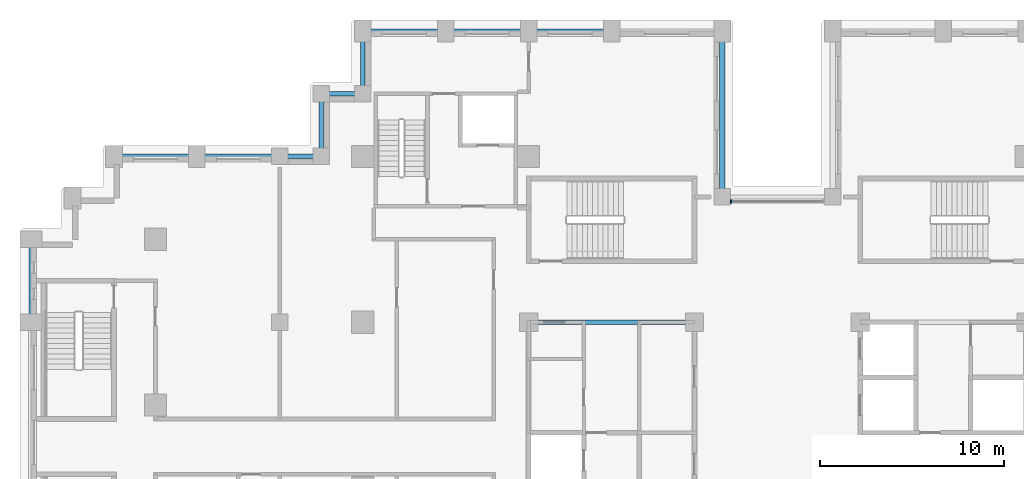
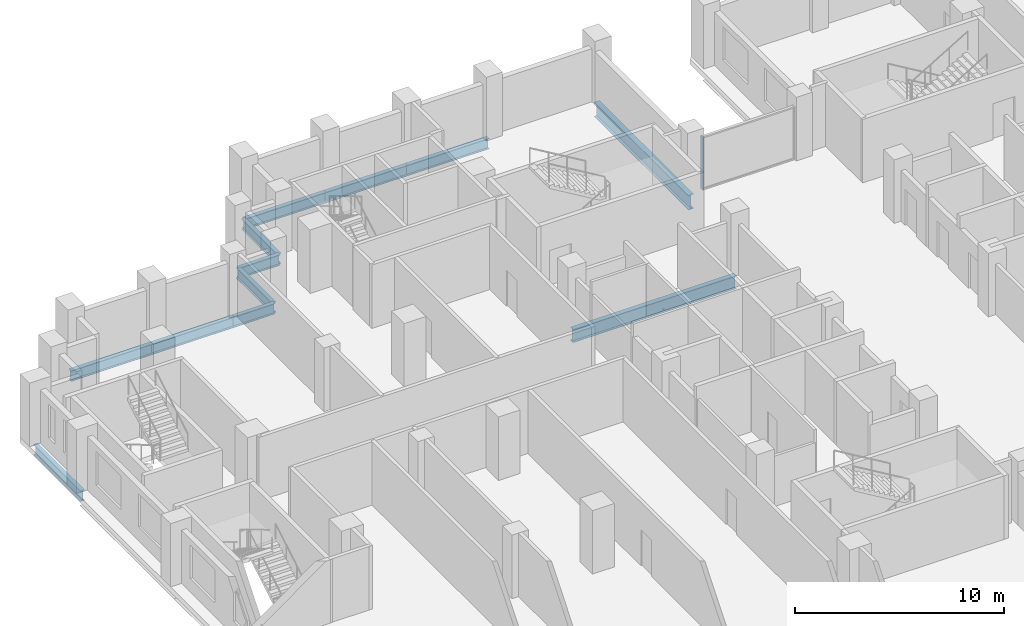
# One storey, part 3 of 16: 12 beams, 1 member, 1 element without a shape of its own.
"""IFC4 building model written with IfcOpenShell, lengths in metres."""

from ifc_helpers import new_model, si_unit, direction, frame, origin, origin_2d, place, context, subcontext, project, spatial, rectangle, i_section, extrude, material, layer, layer_set, material_profile, profile_set, type_object, element, aggregate, save


model = new_model("IFC4")

# Units and contexts
model_context = context("Model", 3, precision=1e-05, world=origin(), true_north=direction((0.0, 1.0)))
body_context = subcontext(model_context, "Body", "Model", "MODEL_VIEW")
ifc_project = project(units=[si_unit("LENGTHUNIT", "METRE"), si_unit("AREAUNIT", "SQUARE_METRE"), si_unit("VOLUMEUNIT", "CUBIC_METRE"), si_unit("PLANEANGLEUNIT", "RADIAN"), si_unit("MASSUNIT", "GRAM", prefix="KILO")], contexts=[model_context])

# Site, building, storey
site_placement = place(None, origin())
site = spatial("IfcSite", under=ifc_project, at=site_placement, CompositionType="ELEMENT")
building_placement = place(site_placement, origin())
building = spatial("IfcBuilding", under=site, at=building_placement, Name="Corbelhall Arena Tower", CompositionType="ELEMENT")
storey_placement = place(building_placement, frame((0.0, 0.0, 104.0)))
storey = spatial("IfcBuildingStorey", under=building, at=storey_placement, Name="L18", CompositionType="ELEMENT", Elevation=104.0)

# Curtain wall, member
ifc_material_1 = material(Name="Aluminium black anodised", Category="aluminium")
ifc_layer = layer(ifc_material_1, 0.199951171875)
ifc_layer_set = layer_set([ifc_layer], Name="EV-CW1 Slot back wall")
curtain_wall_type = type_object("IfcCurtainWallType", Name="EV-CW1 Slot back wall", PredefinedType="NOTDEFINED", material=ifc_layer_set)
curtain_wall_placement = place(storey_placement, origin())
curtain_wall = element("IfcCurtainWall", 1, at=curtain_wall_placement, inside=storey, type_object=curtain_wall_type, Name="Curtain wall CW1", PredefinedType="NOTDEFINED")
ifc_material_profile_1 = material_profile(ifc_material_1, rectangle(XDim=0.199951171875, YDim=0.074951171875, at=origin_2d()))
ifc_profile_set_1 = profile_set([ifc_material_profile_1], Name="Aluminium black anodised")
member_type = type_object("IfcMemberType", Name="EV-CW1-MULLION", PredefinedType="MULLION", material=ifc_profile_set_1)
member_placement = place(storey_placement, frame((-2.512451171875, 15.550048828125, 0.0), z_axis=(0.0, 0.0, 1.0), x_axis=(0.0, -1.0, 0.0)))
member = element("IfcMember", 2, at=member_placement, type_object=member_type, Name="CW1 mullion 2", PredefinedType="MULLION", context=body_context, shape_type="SweptSolid", body=[
    extrude(rectangle(XDim=0.199951171875, YDim=0.074951171875, at=origin_2d()), origin(), (0.0, 0.0, 1.0), 3.10009765625),
])
aggregate(curtain_wall, [member])

# Beams
ifc_material_2 = material(Name="Steel ASTM A992 Gr50", Category="steel")
ifc_material_profile_2 = material_profile(ifc_material_2, i_section(OverallWidth=0.2666015625, OverallDepth=0.761962890625, WebThickness=0.014404296875, FlangeThickness=0.021484375, at=origin_2d()))
ifc_profile_set_2 = profile_set([ifc_material_profile_2], Name="Steel ASTM A992 Gr50")
beam_type_1 = type_object("IfcBeamType", Name="ST-BEAM-W30x116", PredefinedType="BEAM", material=ifc_profile_set_2)
beam_1_placement = place(storey_placement, frame((-13.5, 9.0, -0.680908203125), z_axis=(1.0, 0.0, 0.0), x_axis=(0.0, 1.0, 0.0)))
element("IfcBeam", 3, at=beam_1_placement, inside=storey, type_object=beam_type_1, Name="Beam CEW 6", PredefinedType="BEAM", context=body_context, shape_type="SweptSolid", body=[
    extrude(i_section(OverallWidth=0.2666015625, OverallDepth=0.761962890625, WebThickness=0.014404296875, FlangeThickness=0.021484375, at=origin_2d()), origin(), (0.0, 0.0, 1.0), 9.0),
])
ifc_material_profile_3 = material_profile(ifc_material_2, i_section(OverallWidth=0.23046875, OverallDepth=0.6171875, WebThickness=0.01318359375, FlangeThickness=0.022216796875, at=origin_2d()))
ifc_profile_set_3 = profile_set([ifc_material_profile_3], Name="Steel ASTM A992 Gr50")
beam_type_2 = type_object("IfcBeamType", Name="ST-SPANDREL-W24x94", PredefinedType="SPANDREL", material=ifc_profile_set_3)
for number, where, z_axis, x_axis, name in (
    (4, (-40.5, 9.0, -0.608642578125), (0.0, 1.0, 0.0), (-1.0, 0.0, 0.0), "Beam SP 2"),
    (5, (-31.5, 18.0, -0.608642578125), (1.0, 0.0, 0.0), (0.0, 1.0, 0.0), "Beam SP 5"),
    (6, (-36.0, 18.0, -0.608642578125), (1.0, 0.0, 0.0), (0.0, 1.0, 0.0), "Beam SP 6"),
    (7, (-13.5, 24.800048828125, -0.608642578125), (1.0, 0.0, 0.0), (0.0, 1.0, 0.0), "Beam SP 24"),
    (8, (-18.0, 24.800048828125, -0.608642578125), (1.0, 0.0, 0.0), (0.0, 1.0, 0.0), "Beam SP 25"),
    (9, (-22.5, 24.800048828125, -0.608642578125), (1.0, 0.0, 0.0), (0.0, 1.0, 0.0), "Beam SP 26"),
):
    element("IfcBeam", number, at=place(storey_placement, frame(where, z_axis=z_axis, x_axis=x_axis)), inside=storey, type_object=beam_type_2, Name=name, PredefinedType="SPANDREL", context=body_context, shape_type="SweptSolid", body=[
        extrude(i_section(OverallWidth=0.23046875, OverallDepth=0.6171875, WebThickness=0.01318359375, FlangeThickness=0.022216796875, at=origin_2d()), origin(), (0.0, 0.0, 1.0), 4.5),
    ])
beam_2_placement = place(storey_placement, frame((-27.0, 18.0, -0.608642578125), z_axis=(1.0, 0.0, 0.0), x_axis=(0.0, 1.0, 0.0)))
element("IfcBeam", 10, at=beam_2_placement, inside=storey, type_object=beam_type_2, Name="Beam SP 37", PredefinedType="SPANDREL", context=body_context, shape_type="SweptSolid", body=[
    extrude(i_section(OverallWidth=0.23046875, OverallDepth=0.6171875, WebThickness=0.01318359375, FlangeThickness=0.022216796875, at=origin_2d()), origin(), (0.0, 0.0, 1.0), 2.25),
])
beam_3_placement = place(storey_placement, frame((-22.5, 21.39990234375, -0.608642578125), z_axis=(0.0, 1.0, 0.0), x_axis=(-1.0, 0.0, 0.0)))
element("IfcBeam", 11, at=beam_3_placement, inside=storey, type_object=beam_type_2, Name="Beam SP 46", PredefinedType="SPANDREL", context=body_context, shape_type="SweptSolid", body=[
    extrude(i_section(OverallWidth=0.23046875, OverallDepth=0.6171875, WebThickness=0.01318359375, FlangeThickness=0.022216796875, at=origin_2d()), origin(), (0.0, 0.0, 1.0), 3.400146484375),
])
beam_4_placement = place(storey_placement, frame((-24.75, 21.39990234375, -0.608642578125), z_axis=(1.0, 0.0, 0.0), x_axis=(0.0, 1.0, 0.0)))
element("IfcBeam", 12, at=beam_4_placement, inside=storey, type_object=beam_type_2, Name="Beam SP 47", PredefinedType="SPANDREL", context=body_context, shape_type="SweptSolid", body=[
    extrude(i_section(OverallWidth=0.23046875, OverallDepth=0.6171875, WebThickness=0.01318359375, FlangeThickness=0.022216796875, at=origin_2d()), origin(), (0.0, 0.0, 1.0), 2.25),
])
beam_5_placement = place(storey_placement, frame((-24.75, 18.0, -0.608642578125), z_axis=(0.0, 1.0, 0.0), x_axis=(-1.0, 0.0, 0.0)))
element("IfcBeam", 13, at=beam_5_placement, inside=storey, type_object=beam_type_2, Name="Beam SP 48", PredefinedType="SPANDREL", context=body_context, shape_type="SweptSolid", body=[
    extrude(i_section(OverallWidth=0.23046875, OverallDepth=0.6171875, WebThickness=0.01318359375, FlangeThickness=0.022216796875, at=origin_2d()), origin(), (0.0, 0.0, 1.0), 3.39990234375),
])
ifc_material_profile_4 = material_profile(ifc_material_2, i_section(OverallWidth=0.2919921875, OverallDepth=0.845703125, WebThickness=0.015380859375, FlangeThickness=0.0244140625, at=origin_2d()))
ifc_profile_set_4 = profile_set([ifc_material_profile_4], Name="Steel ASTM A992 Gr50")
beam_type_3 = type_object("IfcBeamType", Name="ST-SPANDREL-W33x141", PredefinedType="SPANDREL", material=ifc_profile_set_4)
beam_6_placement = place(storey_placement, frame((-3.0, 24.800048828125, -0.722900390625), z_axis=(0.0, -1.0, 0.0), x_axis=(1.0, 0.0, 0.0)))
element("IfcBeam", 14, at=beam_6_placement, inside=storey, type_object=beam_type_3, Name="Beam SP 22", PredefinedType="SPANDREL", context=body_context, shape_type="SweptSolid", body=[
    extrude(i_section(OverallWidth=0.2919921875, OverallDepth=0.845703125, WebThickness=0.015380859375, FlangeThickness=0.0244140625, at=origin_2d()), origin(), (0.0, 0.0, 1.0), 9.0),
])

save(model, "model.ifc")
